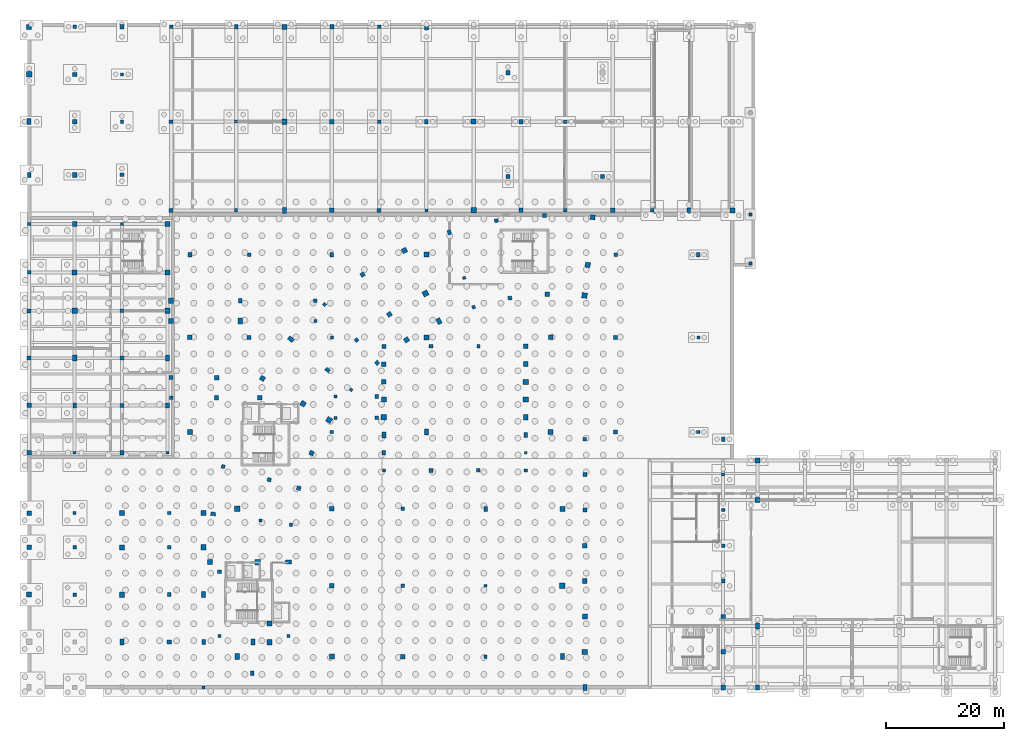
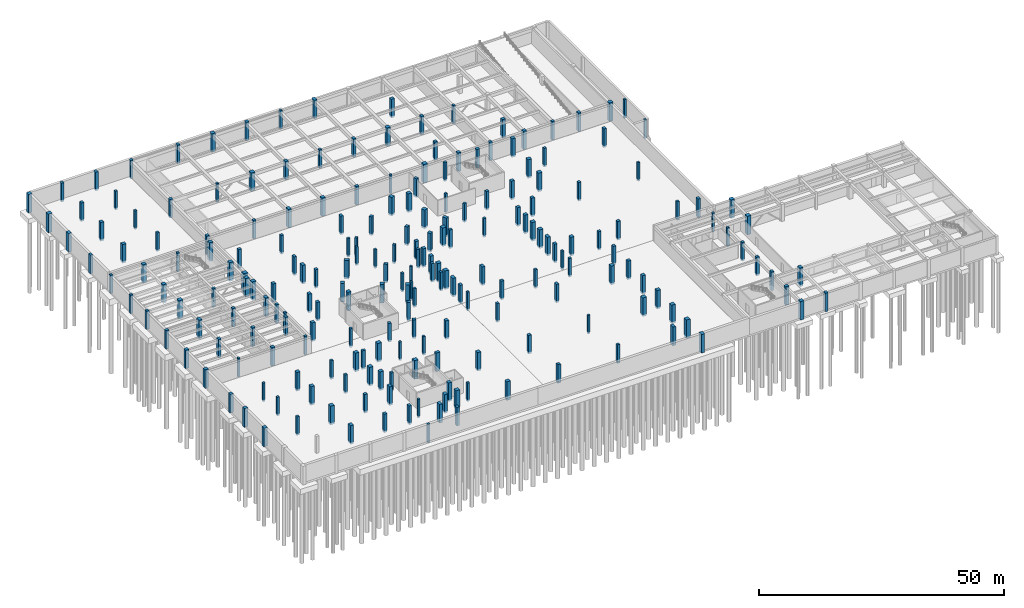
# One storey, part 8 of 36: 217 columns.
"""IFC4 building model written with IfcOpenShell, lengths in metres."""

from ifc_helpers import new_model, si_unit, direction, frame, origin, origin_2d, place, context, subcontext, project, spatial, rectangle, extrude, material, material_profile, profile_set, type_object, element, save


model = new_model("IFC4")

# Units and contexts
model_context = context("Model", 3, precision=1e-05, world=origin(), true_north=direction((0.0, 1.0)))
body_context = subcontext(model_context, "Body", "Model", "MODEL_VIEW")
ifc_project = project(units=[si_unit("LENGTHUNIT", "METRE"), si_unit("AREAUNIT", "SQUARE_METRE"), si_unit("VOLUMEUNIT", "CUBIC_METRE"), si_unit("PLANEANGLEUNIT", "RADIAN"), si_unit("MASSUNIT", "GRAM", prefix="KILO"), si_unit("THERMODYNAMICTEMPERATUREUNIT", "KELVIN"), si_unit("POWERUNIT", "WATT")], contexts=[model_context])

# Site, building, storey
site_placement = place(None, origin())
site = spatial("IfcSite", under=ifc_project, at=site_placement, CompositionType="ELEMENT")
building_placement = place(site_placement, origin())
building = spatial("IfcBuilding", under=site, at=building_placement, Name="Solvatero Civic Police Headquarters", CompositionType="ELEMENT")
storey_placement = place(building_placement, frame((0.0, 0.0, -8.39990234375)))
storey = spatial("IfcBuildingStorey", under=building, at=storey_placement, Name="B02", CompositionType="ELEMENT", Elevation=-8.39990234375)

# Columns
ifc_material = material(Name="Concrete C40/50", Category="concrete")
ifc_material_profile_1 = material_profile(ifc_material, rectangle(XDim=0.5, YDim=0.5, at=origin_2d()), Name="RC 500x500")
ifc_profile_set_1 = profile_set([ifc_material_profile_1], Name="Concrete C40/50")
column_type_1 = type_object("IfcColumnType", Name="COL-RC-500", PredefinedType="COLUMN", material=ifc_profile_set_1)
for number, where, z_axis, x_axis, name in (
    (1, (78.379150390625, 74.075927734375, -0.440185546875), (0.0, 0.0, 1.0), (0.951056516295, 0.309016994375, 0.0), "Column ARC-S03-MID B02"),
    (2, (59.260009765625, 55.150390625, -0.440185546875), (0.0, 0.0, 1.0), (0.642787609687, 0.766044443119, 0.0), "Column ARC-S07-IN B02"),
    (3, (43.94189453125, 33.03515625, -0.440185546875), (0.0, 0.0, 1.0), (0.13917310096, 0.990268068742, 0.0), "Column ARC-S11-MID B02"),
    (4, (56.0, 64.0, -0.440185546875), (0.0, 0.0, 1.0), (1.0, 0.0, 0.0), "Column BSUB-M-X3Y2 B02"),
    (5, (118.0, 64.0, -0.440185546875), (0.0, 0.0, 1.0), (1.0, 0.0, 0.0), "Column BSUB-M-X7Y2 B02"),
    (6, (82.0, 22.0, -0.440185546875), (0.0, 0.0, 1.0), (1.0, 0.0, 0.0), "Column BSUB-S-X4Y2 B02"),
    (7, (37.0, 13.5, -0.440185546875), (0.0, 0.0, 1.0), (1.0, 0.0, 0.0), "Column PROW-SW B02"),
    (8, (53.199951171875, 66.800048828125, -0.440185546875), (0.0, 0.0, 1.0), (1.0, 0.0, 0.0), "Column SB2-E-S B02"),
    (9, (122.199951171875, 40.800048828125, -0.440185546875), (0.0, 0.0, 1.0), (1.0, 0.0, 0.0), "Column V1-E-F7 B02"),
    (10, (88.800048828125, 44.5, -0.440185546875), (0.0, 0.0, 1.0), (1.0, 0.0, 0.0), "Column V2-E-F2 B02"),
    (11, (64.800048828125, 41.5, -0.440185546875), (0.0, 0.0, 1.0), (1.0, 0.0, 0.0), "Column V2-W-F1 B02"),
    (12, (56.60009765625, 50.39990234375, -0.440185546875), (0.0, 0.0, 1.0), (1.0, 0.0, 0.0), "Column V2LK-WS B02"),
    (13, (12.5, 34.300048828125, -0.440185546875), (0.0, 0.0, 1.0), (1.0, 0.0, 0.0), "Column V4-X2Y5 B02"),
    (14, (34.300048828125, 4.800048828125, -0.440185546875), (0.0, 0.0, 1.0), (1.0, 0.0, 0.0), "Column V4-X5Y1 B02"),
    (15, (12.5, 44.5, -0.440185546875), (0.0, 0.0, 1.0), (1.0, 0.0, 0.0), "Column V6-X2Y1 B02"),
    (16, (28.199951171875, 44.5, -0.440185546875), (0.0, 0.0, 1.0), (1.0, 0.0, 0.0), "Column V6-X4Y1 B02"),
    (17, (39.800048828125, 100.5, -0.440185546875), (0.0, 0.0, 1.0), (1.0, 0.0, 0.0), "Column V7-X2Y2 B02"),
    (18, (72.0, 85.5, -0.440185546875), (0.0, 0.0, 1.0), (1.0, 0.0, 0.0), "Column V7-X6Y1 B02"),
    (19, (20.5, 108.5, -0.440185546875), (0.0, 0.0, 1.0), (1.0, 0.0, 0.0), "Column V7NW-X3Y3 B02"),
    (20, (126.800048828125, 76.5, -0.440185546875), (0.0, 0.0, 1.0), (1.0, 0.0, 0.0), "Driveway Support Pier 1 B02"),
    (21, (126.800048828125, 84.800048828125, -0.440185546875), (0.0, 0.0, 1.0), (1.0, 0.0, 0.0), "Driveway Support Pier 2 B02"),
):
    element("IfcColumn", number, at=place(storey_placement, frame(where, z_axis=z_axis, x_axis=x_axis)), inside=storey, type_object=column_type_1, Name=name, PredefinedType="COLUMN", context=body_context, shape_type="SweptSolid", body=[
        extrude(rectangle(XDim=0.5, YDim=0.5, at=origin_2d()), origin(), (0.0, 0.0, 1.0), 4.64013671875),
    ])
ifc_material_profile_2 = material_profile(ifc_material, rectangle(XDim=0.550048828125, YDim=0.550048828125, at=origin_2d()), Name="RC 550x550")
ifc_profile_set_2 = profile_set([ifc_material_profile_2], Name="Concrete C40/50")
column_type_2 = type_object("IfcColumnType", Name="COL-RC-550", PredefinedType="COLUMN", material=ifc_profile_set_2)
for number, where, z_axis, x_axis, name in (
    (22, (79.986083984375, 69.13037109375, -0.440185546875), (0.0, 0.0, 1.0), (0.951056516295, 0.309016994375, 0.0), "Column ARC-S03-IN B02"),
    (23, (54.755615234375, 69.58544921875, -0.440185546875), (0.0, 0.0, 1.0), (0.743144825477, 0.669130606359, 0.0), "Column ARC-S06-OUT B02"),
    (24, (49.09130859375, 32.3115234375, -0.440185546875), (0.0, 0.0, 1.0), (0.13917310096, 0.990268068742, 0.0), "Column ARC-S11-IN B02"),
    (25, (56.0, 48.0, -0.440185546875), (0.0, 0.0, 1.0), (1.0, 0.0, 0.0), "Column BSUB-M-X3Y1 B02"),
    (26, (118.0, 48.0, -0.440185546875), (0.0, 0.0, 1.0), (1.0, 0.0, 0.0), "Column BSUB-M-X7Y1 B02"),
    (27, (82.0, 10.0, -0.440185546875), (0.0, 0.0, 1.0), (1.0, 0.0, 0.0), "Column BSUB-S-X4Y1 B02"),
    (28, (48.64990234375, 13.5, -0.440185546875), (0.0, 0.0, 1.0), (1.0, 0.0, 0.0), "Column PROW-SE B02"),
    (29, (53.199951171875, 70.199951171875, -0.440185546875), (0.0, 0.0, 1.0), (1.0, 0.0, 0.0), "Column SB2-E-N B02"),
    (30, (122.199951171875, 34.800048828125, -0.440185546875), (0.0, 0.0, 1.0), (1.0, 0.0, 0.0), "Column V1-E-F6 B02"),
    (31, (88.800048828125, 41.5, -0.440185546875), (0.0, 0.0, 1.0), (1.0, 0.0, 0.0), "Column V2-E-F1 B02"),
    (32, (80.800048828125, 62.5, -0.440185546875), (0.0, 0.0, 1.0), (1.0, 0.0, 0.0), "Column V2-M2-Y62 B02"),
    (33, (56.60009765625, 54.0, -0.440185546875), (0.0, 0.0, 1.0), (1.0, 0.0, 0.0), "Column V2LK-WN B02"),
    (34, (12.5, 28.5, -0.440185546875), (0.0, 0.0, 1.0), (1.0, 0.0, 0.0), "Column V4-X2Y4 B02"),
    (35, (28.5, 34.300048828125, -0.440185546875), (0.0, 0.0, 1.0), (1.0, 0.0, 0.0), "Column V4-X4Y5 B02"),
    (36, (4.800048828125, 83.199951171875, -0.440185546875), (0.0, 0.0, 1.0), (1.0, 0.0, 0.0), "Column V6-X1Y6 B02"),
    (37, (20.5, 83.199951171875, -0.440185546875), (0.0, 0.0, 1.0), (1.0, 0.0, 0.0), "Column V6-X3Y6 B02"),
    (38, (39.800048828125, 85.5, -0.440185546875), (0.0, 0.0, 1.0), (1.0, 0.0, 0.0), "Column V7-X2Y1 B02"),
    (39, (64.0, 116.550048828125, -0.440185546875), (0.0, 0.0, 1.0), (1.0, 0.0, 0.0), "Column V7-X5Y3 B02"),
    (40, (95.5, 100.5, -0.440185546875), (0.0, 0.0, 1.0), (1.0, 0.0, 0.0), "Column V7-X9Y2 B02"),
    (41, (20.5, 100.5, -0.440185546875), (0.0, 0.0, 1.0), (1.0, 0.0, 0.0), "Column V7NW-X3Y2 B02"),
):
    element("IfcColumn", number, at=place(storey_placement, frame(where, z_axis=z_axis, x_axis=x_axis)), inside=storey, type_object=column_type_2, Name=name, PredefinedType="COLUMN", context=body_context, shape_type="SweptSolid", body=[
        extrude(rectangle(XDim=0.550048828125, YDim=0.550048828125, at=origin_2d()), origin(), (0.0, 0.0, 1.0), 4.64013671875),
    ])
ifc_material_profile_3 = material_profile(ifc_material, rectangle(XDim=0.60009765625, YDim=0.60009765625, at=origin_2d()), Name="RC 600x600")
ifc_profile_set_3 = profile_set([ifc_material_profile_3], Name="Concrete C40/50")
column_type_3 = type_object("IfcColumnType", Name="COL-RC-600", PredefinedType="COLUMN", material=ifc_profile_set_3)
for number, where, z_axis, x_axis, name in (
    (42, (83.8154296875, 83.759033203125, -0.440185546875), (0.0, 0.0, 1.0), (0.984807753012, 0.173648177667, 0.0), "Column ARC-S02-OUT B02"),
    (43, (60.17529296875, 63.56591796875, -0.440185546875), (0.0, 0.0, 1.0), (0.743144825477, 0.669130606359, 0.0), "Column ARC-S06-MID B02"),
    (44, (37.6220703125, 42.166015625, -0.440185546875), (0.0, 0.0, 1.0), (0.275637355817, 0.961261695938, 0.0), "Column ARC-S10-OUT B02"),
    (45, (42.0, 78.0, -0.440185546875), (0.0, 0.0, 1.0), (1.0, 0.0, 0.0), "Column BSUB-M-X2Y3 B02"),
    (46, (104.0, 78.0, -0.440185546875), (0.0, 0.0, 1.0), (1.0, 0.0, 0.0), "Column BSUB-M-X6Y3 B02"),
    (47, (68.0, 35.0, -0.440185546875), (0.0, 0.0, 1.0), (1.0, 0.0, 0.0), "Column BSUB-S-X3Y3 B02"),
    (48, (37.0, 24.39990234375, -0.440185546875), (0.0, 0.0, 1.0), (1.0, 0.0, 0.0), "Column PROW-NW B02"),
    (49, (28.800048828125, 53.800048828125, -0.440185546875), (0.0, 0.0, 1.0), (1.0, 0.0, 0.0), "Column SB1-W-S B02"),
    (50, (122.199951171875, 28.800048828125, -0.440185546875), (0.0, 0.0, 1.0), (1.0, 0.0, 0.0), "Column V1-E-F5 B02"),
    (51, (98.800048828125, 46.800048828125, -0.440185546875), (0.0, 0.0, 1.0), (1.0, 0.0, 0.0), "Column V1-W-F8 B02"),
    (52, (80.800048828125, 41.5, -0.440185546875), (0.0, 0.0, 1.0), (1.0, 0.0, 0.0), "Column V2-M2-Y41 B02"),
    (53, (63.60009765625, 50.39990234375, -0.440185546875), (0.0, 0.0, 1.0), (1.0, 0.0, 0.0), "Column V2LK-ES B02"),
    (54, (12.5, 20.5, -0.440185546875), (0.0, 0.0, 1.0), (1.0, 0.0, 0.0), "Column V4-X2Y3 B02"),
    (55, (28.5, 28.5, -0.440185546875), (0.0, 0.0, 1.0), (1.0, 0.0, 0.0), "Column V4-X4Y4 B02"),
    (56, (4.800048828125, 75.0, -0.440185546875), (0.0, 0.0, 1.0), (1.0, 0.0, 0.0), "Column V6-X1Y5 B02"),
    (57, (20.5, 68.5, -0.440185546875), (0.0, 0.0, 1.0), (1.0, 0.0, 0.0), "Column V6-X3Y4 B02"),
    (58, (110.199951171875, 85.5, -0.440185546875), (0.0, 0.0, 1.0), (1.0, 0.0, 0.0), "Column V7-X11Y1 B02"),
    (59, (28.800048828125, 116.550048828125, -0.440185546875), (0.0, 0.0, 1.0), (1.0, 0.0, 0.0), "Column V7-X1Y3 B02"),
    (60, (64.0, 100.5, -0.440185546875), (0.0, 0.0, 1.0), (1.0, 0.0, 0.0), "Column V7-X5Y2 B02"),
    (61, (95.5, 85.5, -0.440185546875), (0.0, 0.0, 1.0), (1.0, 0.0, 0.0), "Column V7-X9Y1 B02"),
    (62, (20.5, 91.5, -0.440185546875), (0.0, 0.0, 1.0), (1.0, 0.0, 0.0), "Column V7NW-X3Y1 B02"),
):
    element("IfcColumn", number, at=place(storey_placement, frame(where, z_axis=z_axis, x_axis=x_axis)), inside=storey, type_object=column_type_3, Name=name, PredefinedType="COLUMN", context=body_context, shape_type="SweptSolid", body=[
        extrude(rectangle(XDim=0.60009765625, YDim=0.60009765625, at=origin_2d()), origin(), (0.0, 0.0, 1.0), 4.64013671875),
    ])
ifc_material_profile_4 = material_profile(ifc_material, rectangle(XDim=0.60009765625, YDim=0.800048828125, at=origin_2d()), Name="RC 600x800")
ifc_profile_set_4 = profile_set([ifc_material_profile_4], Name="Concrete C40/50")
column_type_4 = type_object("IfcColumnType", Name="COL-RC-600x800", PredefinedType="COLUMN", material=ifc_profile_set_4)
for number, where, z_axis, x_axis, name in (
    (63, (75.876220703125, 81.779541015625, -0.440185546875), (0.0, 0.0, 1.0), (0.951056516295, 0.309016994375, 0.0), "Column ARC-S03-OUT B02"),
    (64, (55.276611328125, 58.492919921875, -0.440185546875), (0.0, 0.0, 1.0), (0.642787609687, 0.766044443119, 0.0), "Column ARC-S07-MID B02"),
    (65, (35.9208984375, 34.16259765625, -0.440185546875), (0.0, 0.0, 1.0), (0.13917310096, 0.990268068742, 0.0), "Column ARC-S11-OUT B02"),
    (66, (56.0, 78.0, -0.440185546875), (0.0, 0.0, 1.0), (1.0, 0.0, 0.0), "Column BSUB-M-X3Y3 B02"),
    (67, (118.0, 78.0, -0.440185546875), (0.0, 0.0, 1.0), (1.0, 0.0, 0.0), "Column BSUB-M-X7Y3 B02"),
    (68, (82.0, 35.0, -0.440185546875), (0.0, 0.0, 1.0), (1.0, 0.0, 0.0), "Column BSUB-S-X4Y3 B02"),
    (69, (42.5, 7.199951171875, -0.440185546875), (0.0, 0.0, 1.0), (1.0, 0.0, 0.0), "Column PROW-TIP B02"),
    (70, (40.5, 70.199951171875, -0.440185546875), (0.0, 0.0, 1.0), (1.0, 0.0, 0.0), "Column SB2-MID-N B02"),
    (71, (122.199951171875, 46.800048828125, -0.440185546875), (0.0, 0.0, 1.0), (1.0, 0.0, 0.0), "Column V1-E-F8 B02"),
    (72, (88.800048828125, 47.5, -0.440185546875), (0.0, 0.0, 1.0), (1.0, 0.0, 0.0), "Column V2-E-F3 B02"),
    (73, (64.800048828125, 44.5, -0.440185546875), (0.0, 0.0, 1.0), (1.0, 0.0, 0.0), "Column V2-W-F2 B02"),
    (74, (128.0, 4.800048828125, -0.440185546875), (0.0, 0.0, 1.0), (1.0, 0.0, 0.0), "Column V3-X1Y1 B02"),
    (75, (34.300048828125, 12.5, -0.440185546875), (0.0, 0.0, 1.0), (1.0, 0.0, 0.0), "Column V4-X5Y2 B02"),
    (76, (12.5, 52.5, -0.440185546875), (0.0, 0.0, 1.0), (1.0, 0.0, 0.0), "Column V6-X2Y2 B02"),
    (77, (28.199951171875, 52.5, -0.440185546875), (0.0, 0.0, 1.0), (1.0, 0.0, 0.0), "Column V6-X4Y2 B02"),
    (78, (116.39990234375, 85.5, -0.440185546875), (0.0, 0.0, 1.0), (1.0, 0.0, 0.0), "Column V7-X12Y1 B02"),
    (79, (39.800048828125, 116.550048828125, -0.440185546875), (0.0, 0.0, 1.0), (1.0, 0.0, 0.0), "Column V7-X2Y3 B02"),
    (80, (72.0, 100.5, -0.440185546875), (0.0, 0.0, 1.0), (1.0, 0.0, 0.0), "Column V7-X6Y2 B02"),
    (81, (4.800048828125, 91.5, -0.440185546875), (0.0, 0.0, 1.0), (1.0, 0.0, 0.0), "Column V7NW-X1Y1 B02"),
    (82, (20.5, 116.550048828125, -0.440185546875), (0.0, 0.0, 1.0), (1.0, 0.0, 0.0), "Column V7NW-X3Y4 B02"),
):
    element("IfcColumn", number, at=place(storey_placement, frame(where, z_axis=z_axis, x_axis=x_axis)), inside=storey, type_object=column_type_4, Name=name, PredefinedType="COLUMN", context=body_context, shape_type="SweptSolid", body=[
        extrude(rectangle(XDim=0.60009765625, YDim=0.800048828125, at=origin_2d()), origin(), (0.0, 0.0, 1.0), 4.64013671875),
    ])
ifc_material_profile_5 = material_profile(ifc_material, rectangle(XDim=0.64990234375, YDim=0.64990234375, at=origin_2d()), Name="RC 650x650")
ifc_profile_set_5 = profile_set([ifc_material_profile_5], Name="Concrete C40/50")
column_type_5 = type_object("IfcColumnType", Name="COL-RC-650", PredefinedType="COLUMN", material=ifc_profile_set_5)
for number, where, z_axis, x_axis, name in (
    (83, (86.125, 70.660888671875, -0.440185546875), (0.0, 0.0, 1.0), (0.984807753012, 0.173648177667, 0.0), "Column ARC-S02-IN B02"),
    (84, (63.65478515625, 59.70166015625, -0.440185546875), (0.0, 0.0, 1.0), (0.743144825477, 0.669130606359, 0.0), "Column ARC-S06-IN B02"),
    (85, (45.408203125, 39.93359375, -0.440185546875), (0.0, 0.0, 1.0), (0.275637355817, 0.961261695938, 0.0), "Column ARC-S10-MID B02"),
    (86, (42.0, 64.0, -0.440185546875), (0.0, 0.0, 1.0), (1.0, 0.0, 0.0), "Column BSUB-M-X2Y2 B02"),
    (87, (104.0, 64.0, -0.440185546875), (0.0, 0.0, 1.0), (1.0, 0.0, 0.0), "Column BSUB-M-X6Y2 B02"),
    (88, (68.0, 22.0, -0.440185546875), (0.0, 0.0, 1.0), (1.0, 0.0, 0.0), "Column BSUB-S-X3Y2 B02"),
    (89, (85.800048828125, 91.199951171875, -0.440185546875), (0.0, 0.0, 1.0), (1.0, 0.0, 0.0), "Column CUSY-SW B02"),
    (90, (28.800048828125, 57.199951171875, -0.440185546875), (0.0, 0.0, 1.0), (1.0, 0.0, 0.0), "Column SB1-W-N B02"),
    (91, (122.199951171875, 22.800048828125, -0.440185546875), (0.0, 0.0, 1.0), (1.0, 0.0, 0.0), "Column V1-E-F4 B02"),
    (92, (98.800048828125, 40.800048828125, -0.440185546875), (0.0, 0.0, 1.0), (1.0, 0.0, 0.0), "Column V1-W-F7 B02"),
    (93, (72.800048828125, 62.5, -0.440185546875), (0.0, 0.0, 1.0), (1.0, 0.0, 0.0), "Column V2-M1-Y62 B02"),
    (94, (63.60009765625, 54.0, -0.440185546875), (0.0, 0.0, 1.0), (1.0, 0.0, 0.0), "Column V2LK-EN B02"),
    (95, (28.5, 20.5, -0.440185546875), (0.0, 0.0, 1.0), (1.0, 0.0, 0.0), "Column V4-X4Y3 B02"),
    (96, (4.800048828125, 68.5, -0.440185546875), (0.0, 0.0, 1.0), (1.0, 0.0, 0.0), "Column V6-X1Y4 B02"),
    (97, (20.5, 60.5, -0.440185546875), (0.0, 0.0, 1.0), (1.0, 0.0, 0.0), "Column V6-X3Y3 B02"),
    (98, (28.800048828125, 100.5, -0.440185546875), (0.0, 0.0, 1.0), (1.0, 0.0, 0.0), "Column V7-X1Y2 B02"),
    (99, (64.0, 85.5, -0.440185546875), (0.0, 0.0, 1.0), (1.0, 0.0, 0.0), "Column V7-X5Y1 B02"),
    (100, (12.5, 116.550048828125, -0.440185546875), (0.0, 0.0, 1.0), (1.0, 0.0, 0.0), "Column V7NW-X2Y4 B02"),
):
    element("IfcColumn", number, at=place(storey_placement, frame(where, z_axis=z_axis, x_axis=x_axis)), inside=storey, type_object=column_type_5, Name=name, PredefinedType="COLUMN", context=body_context, shape_type="SweptSolid", body=[
        extrude(rectangle(XDim=0.64990234375, YDim=0.64990234375, at=origin_2d()), origin(), (0.0, 0.0, 1.0), 4.64013671875),
    ])
ifc_material_profile_6 = material_profile(ifc_material, rectangle(XDim=0.699951171875, YDim=0.699951171875, at=origin_2d()), Name="RC 700x700")
ifc_profile_set_6 = profile_set([ifc_material_profile_6], Name="Concrete C40/50")
column_type_6 = type_object("IfcColumnType", Name="COL-RC-700", PredefinedType="COLUMN", material=ifc_profile_set_6)
for number, where, z_axis, x_axis, name in (
    (101, (91.953125, 84.6142578125, -0.440185546875), (0.0, 0.0, 1.0), (0.999390827019, 0.034899496703, 0.0), "Column ARC-S01-OUT B02"),
    (102, (61.203369140625, 74.623046875, -0.440185546875), (0.0, 0.0, 1.0), (0.829037572555, 0.559192903471, 0.0), "Column ARC-S05-OUT B02"),
    (103, (50.40673828125, 38.500244140625, -0.440185546875), (0.0, 0.0, 1.0), (0.275637355817, 0.961261695938, 0.0), "Column ARC-S10-IN B02"),
    (104, (32.0, 78.0, -0.440185546875), (0.0, 0.0, 1.0), (1.0, 0.0, 0.0), "Column BSUB-M-X1Y3 B02"),
    (105, (104.0, 48.0, -0.440185546875), (0.0, 0.0, 1.0), (1.0, 0.0, 0.0), "Column BSUB-M-X6Y1 B02"),
    (106, (68.0, 10.0, -0.440185546875), (0.0, 0.0, 1.0), (1.0, 0.0, 0.0), "Column BSUB-S-X3Y1 B02"),
    (107, (101.800048828125, 91.199951171875, -0.440185546875), (0.0, 0.0, 1.0), (1.0, 0.0, 0.0), "Column CUSY-SE B02"),
    (108, (36.5, 53.800048828125, -0.440185546875), (0.0, 0.0, 1.0), (1.0, 0.0, 0.0), "Column SB1-MID-S B02"),
    (109, (122.199951171875, 16.800048828125, -0.440185546875), (0.0, 0.0, 1.0), (1.0, 0.0, 0.0), "Column V1-E-F3 B02"),
    (110, (98.800048828125, 34.800048828125, -0.440185546875), (0.0, 0.0, 1.0), (1.0, 0.0, 0.0), "Column V1-W-F6 B02"),
    (111, (72.800048828125, 41.5, -0.440185546875), (0.0, 0.0, 1.0), (1.0, 0.0, 0.0), "Column V2-M1-Y41 B02"),
    (112, (64.800048828125, 62.5, -0.440185546875), (0.0, 0.0, 1.0), (1.0, 0.0, 0.0), "Column V2-W-F8 B02"),
    (113, (28.5, 12.5, -0.440185546875), (0.0, 0.0, 1.0), (1.0, 0.0, 0.0), "Column V4-X4Y2 B02"),
    (114, (4.800048828125, 60.5, -0.440185546875), (0.0, 0.0, 1.0), (1.0, 0.0, 0.0), "Column V6-X1Y3 B02"),
    (115, (20.5, 52.5, -0.440185546875), (0.0, 0.0, 1.0), (1.0, 0.0, 0.0), "Column V6-X3Y2 B02"),
    (116, (28.800048828125, 85.5, -0.440185546875), (0.0, 0.0, 1.0), (1.0, 0.0, 0.0), "Column V7-X1Y1 B02"),
    (117, (56.0, 116.550048828125, -0.440185546875), (0.0, 0.0, 1.0), (1.0, 0.0, 0.0), "Column V7-X4Y3 B02"),
    (118, (88.0, 100.5, -0.440185546875), (0.0, 0.0, 1.0), (1.0, 0.0, 0.0), "Column V7-X8Y2 B02"),
    (119, (12.5, 108.5, -0.440185546875), (0.0, 0.0, 1.0), (1.0, 0.0, 0.0), "Column V7NW-X2Y3 B02"),
):
    element("IfcColumn", number, at=place(storey_placement, frame(where, z_axis=z_axis, x_axis=x_axis)), inside=storey, type_object=column_type_6, Name=name, PredefinedType="COLUMN", context=body_context, shape_type="SweptSolid", body=[
        extrude(rectangle(XDim=0.699951171875, YDim=0.699951171875, at=origin_2d()), origin(), (0.0, 0.0, 1.0), 4.64013671875),
    ])
ifc_material_profile_7 = material_profile(ifc_material, rectangle(XDim=0.699951171875, YDim=1.0, at=origin_2d()), Name="RC 700x1000")
ifc_profile_set_7 = profile_set([ifc_material_profile_7], Name="Concrete C40/50")
column_type_7 = type_object("IfcColumnType", Name="COL-RC-700x1000", PredefinedType="COLUMN", material=ifc_profile_set_7)
for number, where, z_axis, x_axis, name in (
    (120, (74.119873046875, 66.76025390625, -0.440185546875), (0.0, 0.0, 1.0), (0.898794046299, 0.438371146789, 0.0), "Column ARC-S04-IN B02"),
    (121, (49.071533203125, 63.699462890625, -0.440185546875), (0.0, 0.0, 1.0), (0.642787609687, 0.766044443119, 0.0), "Column ARC-S07-OUT B02"),
    (122, (48.64990234375, 26.0, -0.440185546875), (0.0, 0.0, 1.0), (0.0, 1.0, 0.0), "Column ARC-S12-IN B02"),
    (123, (72.0, 48.0, -0.440185546875), (0.0, 0.0, 1.0), (1.0, 0.0, 0.0), "Column BSUB-M-X4Y1 B02"),
    (124, (40.0, 10.0, -0.440185546875), (0.0, 0.0, 1.0), (1.0, 0.0, 0.0), "Column BSUB-S-X1Y1 B02"),
    (125, (95.0, 10.0, -0.440185546875), (0.0, 0.0, 1.0), (1.0, 0.0, 0.0), "Column BSUB-S-X5Y1 B02"),
    (126, (42.64990234375, 12.449951171875, -0.440185546875), (0.0, 0.0, 1.0), (1.0, 0.0, 0.0), "Column PRWS1 B02"),
    (127, (40.5, 66.800048828125, -0.440185546875), (0.0, 0.0, 1.0), (1.0, 0.0, 0.0), "Column SB2-MID-S B02"),
    (128, (98.800048828125, 4.800048828125, -0.440185546875), (0.0, 0.0, 1.0), (1.0, 0.0, 0.0), "Column V1-W-F1 B02"),
    (129, (88.800048828125, 50.5, -0.440185546875), (0.0, 0.0, 1.0), (1.0, 0.0, 0.0), "Column V2-E-F4 B02"),
    (130, (64.800048828125, 47.5, -0.440185546875), (0.0, 0.0, 1.0), (1.0, 0.0, 0.0), "Column V2-W-F3 B02"),
    (131, (128.0, 15.199951171875, -0.440185546875), (0.0, 0.0, 1.0), (1.0, 0.0, 0.0), "Column V3-X1Y2 B02"),
    (132, (20.5, 12.5, -0.440185546875), (0.0, 0.0, 1.0), (1.0, 0.0, 0.0), "Column V4-X3Y2 B02"),
    (133, (34.300048828125, 20.5, -0.440185546875), (0.0, 0.0, 1.0), (1.0, 0.0, 0.0), "Column V4-X5Y3 B02"),
    (134, (12.5, 60.5, -0.440185546875), (0.0, 0.0, 1.0), (1.0, 0.0, 0.0), "Column V6-X2Y3 B02"),
    (135, (28.199951171875, 60.5, -0.440185546875), (0.0, 0.0, 1.0), (1.0, 0.0, 0.0), "Column V6-X4Y3 B02"),
    (136, (48.0, 85.5, -0.440185546875), (0.0, 0.0, 1.0), (1.0, 0.0, 0.0), "Column V7-X3Y1 B02"),
    (137, (72.0, 116.550048828125, -0.440185546875), (0.0, 0.0, 1.0), (1.0, 0.0, 0.0), "Column V7-X6Y3 B02"),
    (138, (4.800048828125, 100.5, -0.440185546875), (0.0, 0.0, 1.0), (1.0, 0.0, 0.0), "Column V7NW-X1Y2 B02"),
):
    element("IfcColumn", number, at=place(storey_placement, frame(where, z_axis=z_axis, x_axis=x_axis)), inside=storey, type_object=column_type_7, Name=name, PredefinedType="COLUMN", context=body_context, shape_type="SweptSolid", body=[
        extrude(rectangle(XDim=0.699951171875, YDim=1.0, at=origin_2d()), origin(), (0.0, 0.0, 1.0), 4.64013671875),
    ])
ifc_material_profile_8 = material_profile(ifc_material, rectangle(XDim=0.75, YDim=0.75, at=origin_2d()), Name="RC 750x750")
ifc_profile_set_8 = profile_set([ifc_material_profile_8], Name="Concrete C40/50")
column_type_8 = type_object("IfcColumnType", Name="COL-RC-750", PredefinedType="COLUMN", material=ifc_profile_set_8)
for number, where, z_axis, x_axis, name in (
    (139, (92.417236328125, 71.322509765625, -0.440185546875), (0.0, 0.0, 1.0), (0.999390827019, 0.034899496703, 0.0), "Column ARC-S01-IN B02"),
    (140, (65.73291015625, 67.90771484375, -0.440185546875), (0.0, 0.0, 1.0), (0.829037572555, 0.559192903471, 0.0), "Column ARC-S05-MID B02"),
    (141, (52.57080078125, 44.445556640625, -0.440185546875), (0.0, 0.0, 1.0), (0.406736643076, 0.913545457643, 0.0), "Column ARC-S09-IN B02"),
    (142, (32.0, 64.0, -0.440185546875), (0.0, 0.0, 1.0), (1.0, 0.0, 0.0), "Column BSUB-M-X1Y2 B02"),
    (143, (93.0, 64.0, -0.440185546875), (0.0, 0.0, 1.0), (1.0, 0.0, 0.0), "Column BSUB-M-X5Y2 B02"),
    (144, (56.0, 35.0, -0.440185546875), (0.0, 0.0, 1.0), (1.0, 0.0, 0.0), "Column BSUB-S-X2Y3 B02"),
    (145, (85.800048828125, 108.800048828125, -0.440185546875), (0.0, 0.0, 1.0), (1.0, 0.0, 0.0), "Column CUSY-NW B02"),
    (146, (36.5, 57.199951171875, -0.440185546875), (0.0, 0.0, 1.0), (1.0, 0.0, 0.0), "Column SB1-MID-N B02"),
    (147, (122.199951171875, 10.800048828125, -0.440185546875), (0.0, 0.0, 1.0), (1.0, 0.0, 0.0), "Column V1-E-F2 B02"),
    (148, (98.800048828125, 28.800048828125, -0.440185546875), (0.0, 0.0, 1.0), (1.0, 0.0, 0.0), "Column V1-W-F5 B02"),
    (149, (88.800048828125, 62.5, -0.440185546875), (0.0, 0.0, 1.0), (1.0, 0.0, 0.0), "Column V2-E-F8 B02"),
    (150, (64.800048828125, 59.5, -0.440185546875), (0.0, 0.0, 1.0), (1.0, 0.0, 0.0), "Column V2-W-F7 B02"),
    (151, (4.800048828125, 34.300048828125, -0.440185546875), (0.0, 0.0, 1.0), (1.0, 0.0, 0.0), "Column V4-X1Y5 B02"),
    (152, (4.800048828125, 52.5, -0.440185546875), (0.0, 0.0, 1.0), (1.0, 0.0, 0.0), "Column V6-X1Y2 B02"),
    (153, (20.5, 44.5, -0.440185546875), (0.0, 0.0, 1.0), (1.0, 0.0, 0.0), "Column V6-X3Y1 B02"),
    (154, (103.5, 85.5, -0.440185546875), (0.0, 0.0, 1.0), (1.0, 0.0, 0.0), "Column V7-X10Y1 B02"),
    (155, (56.0, 100.5, -0.440185546875), (0.0, 0.0, 1.0), (1.0, 0.0, 0.0), "Column V7-X4Y2 B02"),
    (156, (88.0, 85.5, -0.440185546875), (0.0, 0.0, 1.0), (1.0, 0.0, 0.0), "Column V7-X8Y1 B02"),
    (157, (12.5, 100.5, -0.440185546875), (0.0, 0.0, 1.0), (1.0, 0.0, 0.0), "Column V7NW-X2Y2 B02"),
):
    element("IfcColumn", number, at=place(storey_placement, frame(where, z_axis=z_axis, x_axis=x_axis)), inside=storey, type_object=column_type_8, Name=name, PredefinedType="COLUMN", context=body_context, shape_type="SweptSolid", body=[
        extrude(rectangle(XDim=0.75, YDim=0.75, at=origin_2d()), origin(), (0.0, 0.0, 1.0), 4.64013671875),
    ])
ifc_material_profile_9 = material_profile(ifc_material, rectangle(XDim=0.800048828125, YDim=0.800048828125, at=origin_2d()), Name="RC 800x800")
ifc_profile_set_9 = profile_set([ifc_material_profile_9], Name="Concrete C40/50")
column_type_9 = type_object("IfcColumnType", Name="COL-RC-800", PredefinedType="COLUMN", material=ifc_profile_set_9)
for number, where, z_axis, x_axis, name in (
    (158, (100.130615234375, 84.32861328125, -0.440185546875), (0.0, 0.0, 1.0), (0.994521895368, -0.104528463268, 0.0), "Column ARC-S00-OUT B02"),
    (159, (68.640625, 63.596923828125, -0.440185546875), (0.0, 0.0, 1.0), (0.829037572555, 0.559192903471, 0.0), "Column ARC-S05-IN B02"),
    (160, (44.261962890625, 57.079833984375, -0.440185546875), (0.0, 0.0, 1.0), (0.529919264233, 0.848048096156, 0.0), "Column ARC-S08-OUT B02"),
    (161, (32.0, 48.0, -0.440185546875), (0.0, 0.0, 1.0), (1.0, 0.0, 0.0), "Column BSUB-M-X1Y1 B02"),
    (162, (93.0, 48.0, -0.440185546875), (0.0, 0.0, 1.0), (1.0, 0.0, 0.0), "Column BSUB-M-X5Y1 B02"),
    (163, (56.0, 22.0, -0.440185546875), (0.0, 0.0, 1.0), (1.0, 0.0, 0.0), "Column BSUB-S-X2Y2 B02"),
    (164, (43.800048828125, 53.800048828125, -0.440185546875), (0.0, 0.0, 1.0), (1.0, 0.0, 0.0), "Column SB1-E-S B02"),
    (165, (122.199951171875, 4.800048828125, -0.440185546875), (0.0, 0.0, 1.0), (1.0, 0.0, 0.0), "Column V1-E-F1 B02"),
    (166, (98.800048828125, 22.800048828125, -0.440185546875), (0.0, 0.0, 1.0), (1.0, 0.0, 0.0), "Column V1-W-F4 B02"),
    (167, (88.800048828125, 59.5, -0.440185546875), (0.0, 0.0, 1.0), (1.0, 0.0, 0.0), "Column V2-E-F7 B02"),
    (168, (64.800048828125, 56.5, -0.440185546875), (0.0, 0.0, 1.0), (1.0, 0.0, 0.0), "Column V2-W-F6 B02"),
    (169, (4.800048828125, 28.5, -0.440185546875), (0.0, 0.0, 1.0), (1.0, 0.0, 0.0), "Column V4-X1Y4 B02"),
    (170, (20.5, 34.300048828125, -0.440185546875), (0.0, 0.0, 1.0), (1.0, 0.0, 0.0), "Column V4-X3Y5 B02"),
    (171, (4.800048828125, 44.5, -0.440185546875), (0.0, 0.0, 1.0), (1.0, 0.0, 0.0), "Column V6-X1Y1 B02"),
    (172, (12.5, 83.199951171875, -0.440185546875), (0.0, 0.0, 1.0), (1.0, 0.0, 0.0), "Column V6-X2Y6 B02"),
    (173, (28.199951171875, 83.199951171875, -0.440185546875), (0.0, 0.0, 1.0), (1.0, 0.0, 0.0), "Column V6-X4Y6 B02"),
    (174, (56.0, 85.5, -0.440185546875), (0.0, 0.0, 1.0), (1.0, 0.0, 0.0), "Column V7-X4Y1 B02"),
    (175, (12.5, 91.5, -0.440185546875), (0.0, 0.0, 1.0), (1.0, 0.0, 0.0), "Column V7NW-X2Y1 B02"),
):
    element("IfcColumn", number, at=place(storey_placement, frame(where, z_axis=z_axis, x_axis=x_axis)), inside=storey, type_object=column_type_9, Name=name, PredefinedType="COLUMN", context=body_context, shape_type="SweptSolid", body=[
        extrude(rectangle(XDim=0.800048828125, YDim=0.800048828125, at=origin_2d()), origin(), (0.0, 0.0, 1.0), 4.64013671875),
    ])
ifc_material_profile_10 = material_profile(ifc_material, rectangle(XDim=0.85009765625, YDim=0.85009765625, at=origin_2d()), Name="RC 850x850")
ifc_profile_set_10 = profile_set([ifc_material_profile_10], Name="Concrete C40/50")
column_type_10 = type_object("IfcColumnType", Name="COL-RC-850", PredefinedType="COLUMN", material=ifc_profile_set_10)
for number, where, z_axis, x_axis, name in (
    (176, (99.283935546875, 76.273193359375, -0.440185546875), (0.0, 0.0, 1.0), (0.994521895368, -0.104528463268, 0.0), "Column ARC-S00-MID B02"),
    (177, (68.28955078125, 78.71435546875, -0.440185546875), (0.0, 0.0, 1.0), (0.898794046299, 0.438371146789, 0.0), "Column ARC-S04-OUT B02"),
    (178, (51.131103515625, 52.787353515625, -0.440185546875), (0.0, 0.0, 1.0), (0.529919264233, 0.848048096156, 0.0), "Column ARC-S08-MID B02"),
    (179, (35.35009765625, 26.0, -0.440185546875), (0.0, 0.0, 1.0), (0.0, 1.0, 0.0), "Column ARC-S12-OUT B02"),
    (180, (72.0, 78.0, -0.440185546875), (0.0, 0.0, 1.0), (1.0, 0.0, 0.0), "Column BSUB-M-X4Y3 B02"),
    (181, (56.0, 10.0, -0.440185546875), (0.0, 0.0, 1.0), (1.0, 0.0, 0.0), "Column BSUB-S-X2Y1 B02"),
    (182, (95.0, 35.0, -0.440185546875), (0.0, 0.0, 1.0), (1.0, 0.0, 0.0), "Column BSUB-S-X5Y3 B02"),
    (183, (45.449951171875, 15.60009765625, -0.440185546875), (0.0, 0.0, 1.0), (1.0, 0.0, 0.0), "Column PRWS3 B02"),
    (184, (28.800048828125, 66.800048828125, -0.440185546875), (0.0, 0.0, 1.0), (1.0, 0.0, 0.0), "Column SB2-W-S B02"),
    (185, (98.800048828125, 16.800048828125, -0.440185546875), (0.0, 0.0, 1.0), (1.0, 0.0, 0.0), "Column V1-W-F3 B02"),
    (186, (88.800048828125, 56.5, -0.440185546875), (0.0, 0.0, 1.0), (1.0, 0.0, 0.0), "Column V2-E-F6 B02"),
    (187, (64.800048828125, 53.5, -0.440185546875), (0.0, 0.0, 1.0), (1.0, 0.0, 0.0), "Column V2-W-F5 B02"),
    (188, (128.0, 43.199951171875, -0.440185546875), (0.0, 0.0, 1.0), (1.0, 0.0, 0.0), "Column V3-X1Y4 B02"),
    (189, (4.800048828125, 20.5, -0.440185546875), (0.0, 0.0, 1.0), (1.0, 0.0, 0.0), "Column V4-X1Y3 B02"),
    (190, (20.5, 28.5, -0.440185546875), (0.0, 0.0, 1.0), (1.0, 0.0, 0.0), "Column V4-X3Y4 B02"),
    (191, (34.300048828125, 34.300048828125, -0.440185546875), (0.0, 0.0, 1.0), (1.0, 0.0, 0.0), "Column V4-X5Y5 B02"),
    (192, (12.5, 75.0, -0.440185546875), (0.0, 0.0, 1.0), (1.0, 0.0, 0.0), "Column V6-X2Y5 B02"),
    (193, (28.199951171875, 75.0, -0.440185546875), (0.0, 0.0, 1.0), (1.0, 0.0, 0.0), "Column V6-X4Y5 B02"),
    (194, (123.75, 85.5, -0.440185546875), (0.0, 0.0, 1.0), (1.0, 0.0, 0.0), "Column V7-X13Y1 B02"),
    (195, (48.0, 116.550048828125, -0.440185546875), (0.0, 0.0, 1.0), (1.0, 0.0, 0.0), "Column V7-X3Y3 B02"),
    (196, (80.0, 100.5, -0.440185546875), (0.0, 0.0, 1.0), (1.0, 0.0, 0.0), "Column V7-X7Y2 B02"),
    (197, (4.800048828125, 116.550048828125, -0.440185546875), (0.0, 0.0, 1.0), (1.0, 0.0, 0.0), "Column V7NW-X1Y4 B02"),
):
    element("IfcColumn", number, at=place(storey_placement, frame(where, z_axis=z_axis, x_axis=x_axis)), inside=storey, type_object=column_type_10, Name=name, PredefinedType="COLUMN", context=body_context, shape_type="SweptSolid", body=[
        extrude(rectangle(XDim=0.85009765625, YDim=0.85009765625, at=origin_2d()), origin(), (0.0, 0.0, 1.0), 4.64013671875),
    ])
ifc_material_profile_11 = material_profile(ifc_material, rectangle(XDim=0.89990234375, YDim=0.89990234375, at=origin_2d()), Name="RC 900x900")
ifc_profile_set_11 = profile_set([ifc_material_profile_11], Name="Concrete C40/50")
column_type_11 = type_object("IfcColumnType", Name="COL-RC-900", PredefinedType="COLUMN", material=ifc_profile_set_11)
for number, where, z_axis, x_axis, name in (
    (198, (98.740478515625, 71.1015625, -0.440185546875), (0.0, 0.0, 1.0), (0.994521895368, -0.104528463268, 0.0), "Column ARC-S00-IN B02"),
    (199, (71.84033203125, 71.43408203125, -0.440185546875), (0.0, 0.0, 1.0), (0.898794046299, 0.438371146789, 0.0), "Column ARC-S04-MID B02"),
    (200, (55.541015625, 50.03173828125, -0.440185546875), (0.0, 0.0, 1.0), (0.529919264233, 0.848048096156, 0.0), "Column ARC-S08-IN B02"),
    (201, (43.449951171875, 26.0, -0.440185546875), (0.0, 0.0, 1.0), (0.0, 1.0, 0.0), "Column ARC-S12-MID B02"),
    (202, (72.0, 64.0, -0.440185546875), (0.0, 0.0, 1.0), (1.0, 0.0, 0.0), "Column BSUB-M-X4Y2 B02"),
    (203, (40.0, 35.0, -0.440185546875), (0.0, 0.0, 1.0), (1.0, 0.0, 0.0), "Column BSUB-S-X1Y3 B02"),
    (204, (95.0, 22.0, -0.440185546875), (0.0, 0.0, 1.0), (1.0, 0.0, 0.0), "Column BSUB-S-X5Y2 B02"),
    (205, (45.449951171875, 12.449951171875, -0.440185546875), (0.0, 0.0, 1.0), (1.0, 0.0, 0.0), "Column PRWS2 B02"),
    (206, (28.800048828125, 70.199951171875, -0.440185546875), (0.0, 0.0, 1.0), (1.0, 0.0, 0.0), "Column SB2-W-N B02"),
    (207, (98.800048828125, 10.800048828125, -0.440185546875), (0.0, 0.0, 1.0), (1.0, 0.0, 0.0), "Column V1-W-F2 B02"),
    (208, (88.800048828125, 53.5, -0.440185546875), (0.0, 0.0, 1.0), (1.0, 0.0, 0.0), "Column V2-E-F5 B02"),
    (209, (64.800048828125, 50.5, -0.440185546875), (0.0, 0.0, 1.0), (1.0, 0.0, 0.0), "Column V2-W-F4 B02"),
    (210, (128.0, 36.5, -0.440185546875), (0.0, 0.0, 1.0), (1.0, 0.0, 0.0), "Column V3-X1Y3 B02"),
    (211, (20.5, 20.5, -0.440185546875), (0.0, 0.0, 1.0), (1.0, 0.0, 0.0), "Column V4-X3Y3 B02"),
    (212, (34.300048828125, 28.5, -0.440185546875), (0.0, 0.0, 1.0), (1.0, 0.0, 0.0), "Column V4-X5Y4 B02"),
    (213, (12.5, 68.5, -0.440185546875), (0.0, 0.0, 1.0), (1.0, 0.0, 0.0), "Column V6-X2Y4 B02"),
    (214, (28.199951171875, 68.5, -0.440185546875), (0.0, 0.0, 1.0), (1.0, 0.0, 0.0), "Column V6-X4Y4 B02"),
    (215, (48.0, 100.5, -0.440185546875), (0.0, 0.0, 1.0), (1.0, 0.0, 0.0), "Column V7-X3Y2 B02"),
    (216, (80.0, 85.5, -0.440185546875), (0.0, 0.0, 1.0), (1.0, 0.0, 0.0), "Column V7-X7Y1 B02"),
    (217, (4.800048828125, 108.5, -0.440185546875), (0.0, 0.0, 1.0), (1.0, 0.0, 0.0), "Column V7NW-X1Y3 B02"),
):
    element("IfcColumn", number, at=place(storey_placement, frame(where, z_axis=z_axis, x_axis=x_axis)), inside=storey, type_object=column_type_11, Name=name, PredefinedType="COLUMN", context=body_context, shape_type="SweptSolid", body=[
        extrude(rectangle(XDim=0.89990234375, YDim=0.89990234375, at=origin_2d()), origin(), (0.0, 0.0, 1.0), 4.64013671875),
    ])

save(model, "model.ifc")
